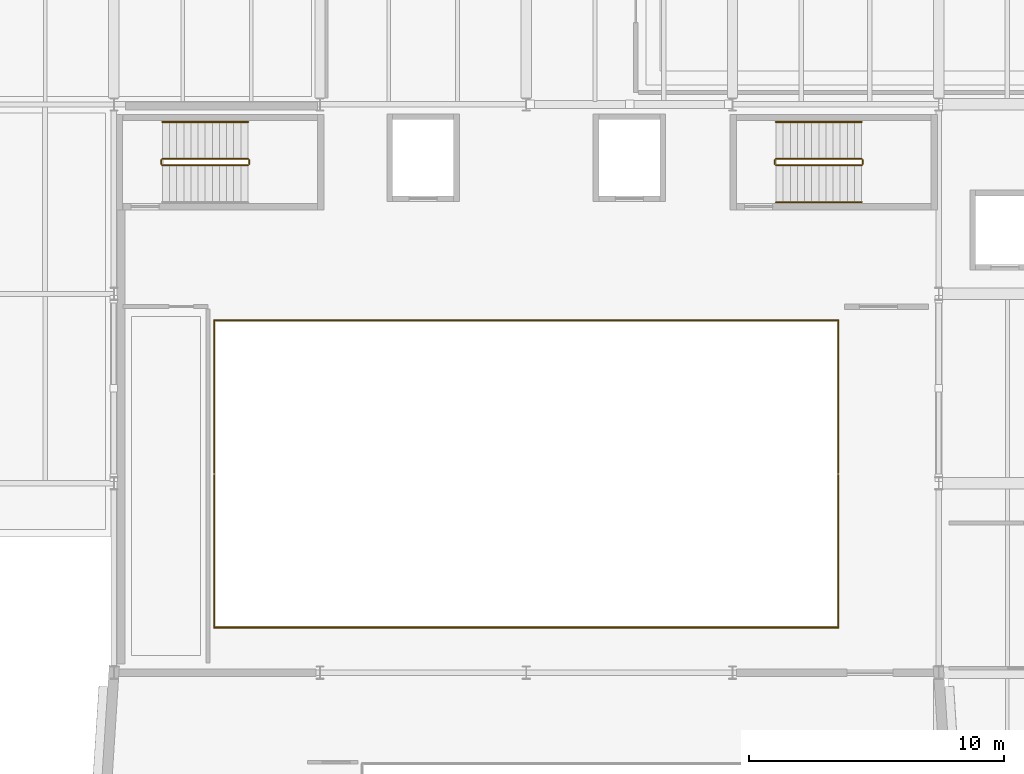
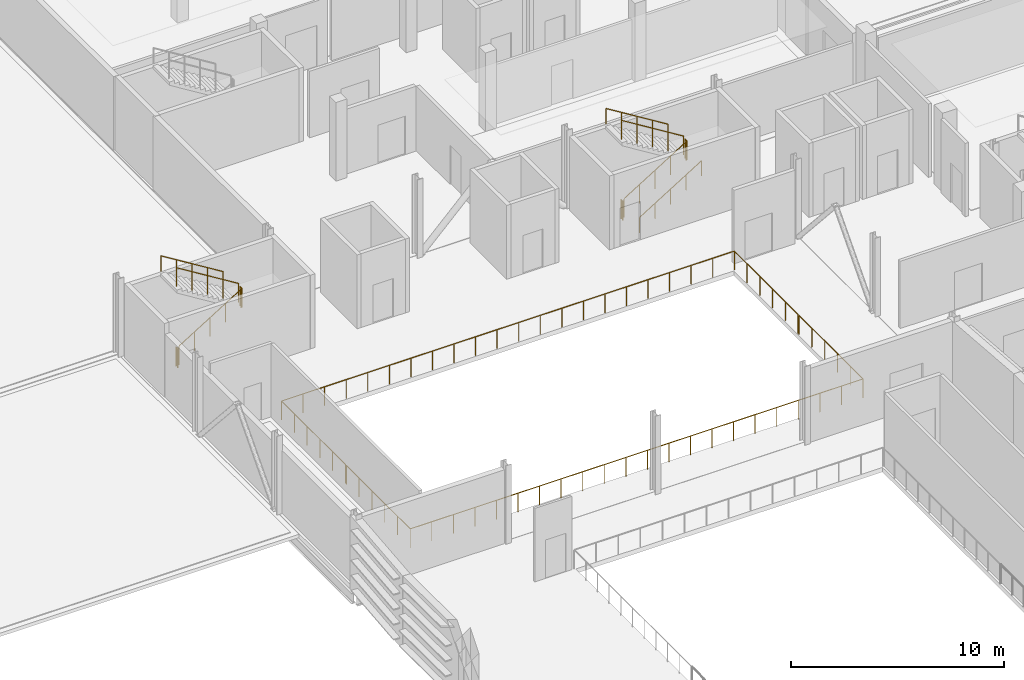
# One storey, part 66 of 73: 13 railings.
"""IFC4 building model written with IfcOpenShell, lengths in metres."""

from ifc_helpers import new_model, si_unit, direction, frame, origin, origin_2d, place, context, subcontext, project, spatial, circle, extrude, material, type_object, element, save


model = new_model("IFC4")

# Units and contexts
model_context = context("Model", 3, precision=1e-05, world=origin(), true_north=direction((0.0, 1.0)))
body_context = subcontext(model_context, "Body", "Model", "MODEL_VIEW")
ifc_project = project(units=[si_unit("LENGTHUNIT", "METRE"), si_unit("AREAUNIT", "SQUARE_METRE"), si_unit("VOLUMEUNIT", "CUBIC_METRE"), si_unit("PLANEANGLEUNIT", "RADIAN"), si_unit("MASSUNIT", "GRAM", prefix="KILO")], contexts=[model_context])

# Site, building, storey
site_placement = place(None, origin())
site = spatial("IfcSite", under=ifc_project, at=site_placement, CompositionType="ELEMENT")
building_placement = place(site_placement, origin())
building = spatial("IfcBuilding", under=site, at=building_placement, Name="Kaelora Sail Theatre", CompositionType="ELEMENT")
storey_placement = place(building_placement, frame((0.0, 0.0, 10.199951171875)))
storey = spatial("IfcBuildingStorey", under=building, at=storey_placement, Name="L02", CompositionType="ELEMENT", Elevation=10.199951171875)

# Railings
ifc_material_1 = material(Name="Painted steel and laminated safety glass guard", Category="steel")
railing_type_1 = type_object("IfcRailingType", Name="ARC-RL-GRD", PredefinedType="GUARDRAIL", material=ifc_material_1)
railing_1_placement = place(storey_placement, frame((27.7099609375, 80.949951171875, 0.173095703125)))
element("IfcRailing", 1, at=railing_1_placement, inside=storey, type_object=railing_type_1, Name="L02 ST-K1 stair guard 1", PredefinedType="GUARDRAIL", context=body_context, shape_type="SweptSolid", body=[
    extrude(circle(Radius=0.02392578125, at=origin_2d()), frame((0.0, 0.0, 1.076171875), z_axis=(0.850623216509, 0.0, 0.525775754039), x_axis=(0.0, 1.0, 0.0)), (0.0, 0.0, 1.0), 3.9501953125),
    extrude(circle(Radius=0.02099609375, at=origin_2d()), origin(), (0.0, 0.0, 1.0), 1.052001953125),
    extrude(circle(Radius=0.02099609375, at=origin_2d()), frame((0.840087890625, 0.0, 0.519287109375)), (0.0, 0.0, 1.0), 1.052001953125),
    extrude(circle(Radius=0.02099609375, at=origin_2d()), frame((1.68017578125, 0.0, 1.03857421875)), (0.0, 0.0, 1.0), 1.052001953125),
    extrude(circle(Radius=0.02099609375, at=origin_2d()), frame((2.52001953125, 0.0, 1.5576171875)), (0.0, 0.0, 1.0), 1.052001953125),
    extrude(circle(Radius=0.02099609375, at=origin_2d()), frame((3.360107421875, 0.0, 2.076904296875)), (0.0, 0.0, 1.0), 1.052001953125),
])
railing_2_placement = place(storey_placement, frame((31.1201171875, 81.0, 2.25)))
element("IfcRailing", 2, at=railing_2_placement, inside=storey, type_object=railing_type_1, Name="L02 ST-K1 stair guard 2", PredefinedType="GUARDRAIL", context=body_context, shape_type="SweptSolid", body=[
    extrude(circle(Radius=0.02392578125, at=origin_2d()), frame((0.0, 0.0, 1.076171875), z_axis=(0.0, 1.0, 0.0), x_axis=(-1.0, 0.0, 0.0)), (0.0, 0.0, 1.0), 0.14990234375),
    extrude(circle(Radius=0.02099609375, at=origin_2d()), origin(), (0.0, 0.0, 1.0), 1.052001953125),
    extrude(circle(Radius=0.02099609375, at=origin_2d()), frame((0.0, 0.14990234375, 0.0)), (0.0, 0.0, 1.0), 1.052001953125),
])
railing_3_placement = place(storey_placement, frame((31.070068359375, 81.199951171875, 2.423095703125)))
element("IfcRailing", 3, at=railing_3_placement, inside=storey, type_object=railing_type_1, Name="L02 ST-K1 stair guard 3", PredefinedType="GUARDRAIL", context=body_context, shape_type="SweptSolid", body=[
    extrude(circle(Radius=0.02392578125, at=origin_2d()), frame((0.0, 0.0, 1.076171875), z_axis=(-0.850623216509, 0.0, 0.525775754039), x_axis=(0.0, -1.0, 0.0)), (0.0, 0.0, 1.0), 3.9501953125),
    extrude(circle(Radius=0.02099609375, at=origin_2d()), origin(), (0.0, 0.0, 1.0), 1.052001953125),
    extrude(circle(Radius=0.02099609375, at=origin_2d()), frame((-0.840087890625, 0.0, 0.519287109375)), (0.0, 0.0, 1.0), 1.052001953125),
    extrude(circle(Radius=0.02099609375, at=origin_2d()), frame((-1.68017578125, 0.0, 1.03857421875)), (0.0, 0.0, 1.0), 1.052001953125),
    extrude(circle(Radius=0.02099609375, at=origin_2d()), frame((-2.52001953125, 0.0, 1.5576171875)), (0.0, 0.0, 1.0), 1.052001953125),
    extrude(circle(Radius=0.02099609375, at=origin_2d()), frame((-3.360107421875, 0.0, 2.076904296875)), (0.0, 0.0, 1.0), 1.052001953125),
])
railing_4_placement = place(storey_placement, frame((27.659912109375, 81.0, 0.0)))
element("IfcRailing", 4, at=railing_4_placement, inside=storey, type_object=railing_type_1, Name="L02 ST-K1 stair guard 4", PredefinedType="GUARDRAIL", context=body_context, shape_type="SweptSolid", body=[
    extrude(circle(Radius=0.02392578125, at=origin_2d()), frame((0.0, 0.0, 1.076171875), z_axis=(0.0, 1.0, 0.0), x_axis=(-1.0, 0.0, 0.0)), (0.0, 0.0, 1.0), 0.14990234375),
    extrude(circle(Radius=0.02099609375, at=origin_2d()), origin(), (0.0, 0.0, 1.0), 1.052001953125),
    extrude(circle(Radius=0.02099609375, at=origin_2d()), frame((0.0, 0.14990234375, 0.0)), (0.0, 0.0, 1.0), 1.052001953125),
])
railing_5_placement = place(storey_placement, frame((51.81005859375, 80.949951171875, 0.173095703125)))
element("IfcRailing", 5, at=railing_5_placement, inside=storey, type_object=railing_type_1, Name="L02 ST-K5 stair guard 1", PredefinedType="GUARDRAIL", context=body_context, shape_type="SweptSolid", body=[
    extrude(circle(Radius=0.02392578125, at=origin_2d()), frame((0.0, 0.0, 1.076171875), z_axis=(0.850606129759, 0.0, 0.525803396734), x_axis=(0.0, 1.0, 0.0)), (0.0, 0.0, 1.0), 3.949951171875),
    extrude(circle(Radius=0.02099609375, at=origin_2d()), origin(), (0.0, 0.0, 1.0), 1.052001953125),
    extrude(circle(Radius=0.02099609375, at=origin_2d()), frame((0.83984375, 0.0, 0.519287109375)), (0.0, 0.0, 1.0), 1.052001953125),
    extrude(circle(Radius=0.02099609375, at=origin_2d()), frame((1.679931640625, 0.0, 1.03857421875)), (0.0, 0.0, 1.0), 1.052001953125),
    extrude(circle(Radius=0.02099609375, at=origin_2d()), frame((2.52001953125, 0.0, 1.5576171875)), (0.0, 0.0, 1.0), 1.052001953125),
    extrude(circle(Radius=0.02099609375, at=origin_2d()), frame((3.35986328125, 0.0, 2.076904296875)), (0.0, 0.0, 1.0), 1.052001953125),
])
railing_6_placement = place(storey_placement, frame((55.219970703125, 81.0, 2.25)))
element("IfcRailing", 6, at=railing_6_placement, inside=storey, type_object=railing_type_1, Name="L02 ST-K5 stair guard 2", PredefinedType="GUARDRAIL", context=body_context, shape_type="SweptSolid", body=[
    extrude(circle(Radius=0.02392578125, at=origin_2d()), frame((0.0, 0.0, 1.076171875), z_axis=(0.0, 1.0, 0.0), x_axis=(-1.0, 0.0, 0.0)), (0.0, 0.0, 1.0), 0.14990234375),
    extrude(circle(Radius=0.02099609375, at=origin_2d()), origin(), (0.0, 0.0, 1.0), 1.052001953125),
    extrude(circle(Radius=0.02099609375, at=origin_2d()), frame((0.0, 0.14990234375, 0.0)), (0.0, 0.0, 1.0), 1.052001953125),
])
railing_7_placement = place(storey_placement, frame((55.169921875, 81.199951171875, 2.423095703125)))
element("IfcRailing", 7, at=railing_7_placement, inside=storey, type_object=railing_type_1, Name="L02 ST-K5 stair guard 3", PredefinedType="GUARDRAIL", context=body_context, shape_type="SweptSolid", body=[
    extrude(circle(Radius=0.02392578125, at=origin_2d()), frame((0.0, 0.0, 1.076171875), z_axis=(-0.850606129759, 0.0, 0.525803396734), x_axis=(0.0, -1.0, 0.0)), (0.0, 0.0, 1.0), 3.949951171875),
    extrude(circle(Radius=0.02099609375, at=origin_2d()), origin(), (0.0, 0.0, 1.0), 1.052001953125),
    extrude(circle(Radius=0.02099609375, at=origin_2d()), frame((-0.83984375, 0.0, 0.519287109375)), (0.0, 0.0, 1.0), 1.052001953125),
    extrude(circle(Radius=0.02099609375, at=origin_2d()), frame((-1.679931640625, 0.0, 1.03857421875)), (0.0, 0.0, 1.0), 1.052001953125),
    extrude(circle(Radius=0.02099609375, at=origin_2d()), frame((-2.52001953125, 0.0, 1.5576171875)), (0.0, 0.0, 1.0), 1.052001953125),
    extrude(circle(Radius=0.02099609375, at=origin_2d()), frame((-3.35986328125, 0.0, 2.076904296875)), (0.0, 0.0, 1.0), 1.052001953125),
])
railing_8_placement = place(storey_placement, frame((51.760009765625, 81.0, 0.0)))
element("IfcRailing", 8, at=railing_8_placement, inside=storey, type_object=railing_type_1, Name="L02 ST-K5 stair guard 4", PredefinedType="GUARDRAIL", context=body_context, shape_type="SweptSolid", body=[
    extrude(circle(Radius=0.02392578125, at=origin_2d()), frame((0.0, 0.0, 1.076171875), z_axis=(0.0, 1.0, 0.0), x_axis=(-1.0, 0.0, 0.0)), (0.0, 0.0, 1.0), 0.14990234375),
    extrude(circle(Radius=0.02099609375, at=origin_2d()), origin(), (0.0, 0.0, 1.0), 1.052001953125),
    extrude(circle(Radius=0.02099609375, at=origin_2d()), frame((0.0, 0.14990234375, 0.0)), (0.0, 0.0, 1.0), 1.052001953125),
])
railing_9_placement = place(storey_placement, frame((29.739990234375, 68.77490234375, 0.0)))
element("IfcRailing", 9, at=railing_9_placement, inside=storey, type_object=railing_type_1, Name="Interior void balustrade FLY-V2 south", PredefinedType="GUARDRAIL", context=body_context, shape_type="SweptSolid", body=[
    extrude(circle(Radius=0.02392578125, at=origin_2d()), frame((0.0, 0.0, 1.076171875), z_axis=(0.0, -1.0, 0.0), x_axis=(1.0, 0.0, 0.0)), (0.0, 0.0, 1.0), 5.98486328125),
    extrude(circle(Radius=0.02392578125, at=origin_2d()), frame((0.0, -5.98486328125, 1.076171875), z_axis=(1.0, 0.0, 0.0), x_axis=(0.0, 1.0, 0.0)), (0.0, 0.0, 1.0), 24.52001953125),
    extrude(circle(Radius=0.02392578125, at=origin_2d()), frame((24.52001953125, -5.98486328125, 1.076171875), z_axis=(0.0, 1.0, 0.0), x_axis=(-1.0, 0.0, 0.0)), (0.0, 0.0, 1.0), 5.98486328125),
    extrude(circle(Radius=0.02099609375, at=origin_2d()), origin(), (0.0, 0.0, 1.0), 1.052001953125),
    extrude(circle(Radius=0.02099609375, at=origin_2d()), frame((0.0, -1.197021484375, 0.0)), (0.0, 0.0, 1.0), 1.052001953125),
    extrude(circle(Radius=0.02099609375, at=origin_2d()), frame((0.0, -2.39404296875, 0.0)), (0.0, 0.0, 1.0), 1.052001953125),
    extrude(circle(Radius=0.02099609375, at=origin_2d()), frame((0.0, -3.5908203125, 0.0)), (0.0, 0.0, 1.0), 1.052001953125),
    extrude(circle(Radius=0.02099609375, at=origin_2d()), frame((0.0, -4.787841796875, 0.0)), (0.0, 0.0, 1.0), 1.052001953125),
    extrude(circle(Radius=0.02099609375, at=origin_2d()), frame((0.0, -5.98486328125, 0.0)), (0.0, 0.0, 1.0), 1.052001953125),
    extrude(circle(Radius=0.02099609375, at=origin_2d()), frame((1.167724609375, -5.98486328125, 0.0)), (0.0, 0.0, 1.0), 1.052001953125),
    extrude(circle(Radius=0.02099609375, at=origin_2d()), frame((2.335205078125, -5.98486328125, 0.0)), (0.0, 0.0, 1.0), 1.052001953125),
    extrude(circle(Radius=0.02099609375, at=origin_2d()), frame((3.5029296875, -5.98486328125, 0.0)), (0.0, 0.0, 1.0), 1.052001953125),
    extrude(circle(Radius=0.02099609375, at=origin_2d()), frame((4.67041015625, -5.98486328125, 0.0)), (0.0, 0.0, 1.0), 1.052001953125),
    extrude(circle(Radius=0.02099609375, at=origin_2d()), frame((5.838134765625, -5.98486328125, 0.0)), (0.0, 0.0, 1.0), 1.052001953125),
    extrude(circle(Radius=0.02099609375, at=origin_2d()), frame((7.005615234375, -5.98486328125, 0.0)), (0.0, 0.0, 1.0), 1.052001953125),
    extrude(circle(Radius=0.02099609375, at=origin_2d()), frame((8.17333984375, -5.98486328125, 0.0)), (0.0, 0.0, 1.0), 1.052001953125),
    extrude(circle(Radius=0.02099609375, at=origin_2d()), frame((9.341064453125, -5.98486328125, 0.0)), (0.0, 0.0, 1.0), 1.052001953125),
    extrude(circle(Radius=0.02099609375, at=origin_2d()), frame((10.508544921875, -5.98486328125, 0.0)), (0.0, 0.0, 1.0), 1.052001953125),
    extrude(circle(Radius=0.02099609375, at=origin_2d()), frame((11.67626953125, -5.98486328125, 0.0)), (0.0, 0.0, 1.0), 1.052001953125),
    extrude(circle(Radius=0.02099609375, at=origin_2d()), frame((12.84375, -5.98486328125, 0.0)), (0.0, 0.0, 1.0), 1.052001953125),
    extrude(circle(Radius=0.02099609375, at=origin_2d()), frame((14.011474609375, -5.98486328125, 0.0)), (0.0, 0.0, 1.0), 1.052001953125),
    extrude(circle(Radius=0.02099609375, at=origin_2d()), frame((15.178955078125, -5.98486328125, 0.0)), (0.0, 0.0, 1.0), 1.052001953125),
    extrude(circle(Radius=0.02099609375, at=origin_2d()), frame((16.3466796875, -5.98486328125, 0.0)), (0.0, 0.0, 1.0), 1.052001953125),
    extrude(circle(Radius=0.02099609375, at=origin_2d()), frame((17.514404296875, -5.98486328125, 0.0)), (0.0, 0.0, 1.0), 1.052001953125),
    extrude(circle(Radius=0.02099609375, at=origin_2d()), frame((18.681884765625, -5.98486328125, 0.0)), (0.0, 0.0, 1.0), 1.052001953125),
    extrude(circle(Radius=0.02099609375, at=origin_2d()), frame((19.849609375, -5.98486328125, 0.0)), (0.0, 0.0, 1.0), 1.052001953125),
    extrude(circle(Radius=0.02099609375, at=origin_2d()), frame((21.01708984375, -5.98486328125, 0.0)), (0.0, 0.0, 1.0), 1.052001953125),
    extrude(circle(Radius=0.02099609375, at=origin_2d()), frame((22.184814453125, -5.98486328125, 0.0)), (0.0, 0.0, 1.0), 1.052001953125),
    extrude(circle(Radius=0.02099609375, at=origin_2d()), frame((23.352294921875, -5.98486328125, 0.0)), (0.0, 0.0, 1.0), 1.052001953125),
    extrude(circle(Radius=0.02099609375, at=origin_2d()), frame((24.52001953125, -5.98486328125, 0.0)), (0.0, 0.0, 1.0), 1.052001953125),
    extrude(circle(Radius=0.02099609375, at=origin_2d()), frame((24.52001953125, -4.787841796875, 0.0)), (0.0, 0.0, 1.0), 1.052001953125),
    extrude(circle(Radius=0.02099609375, at=origin_2d()), frame((24.52001953125, -3.5908203125, 0.0)), (0.0, 0.0, 1.0), 1.052001953125),
    extrude(circle(Radius=0.02099609375, at=origin_2d()), frame((24.52001953125, -2.39404296875, 0.0)), (0.0, 0.0, 1.0), 1.052001953125),
    extrude(circle(Radius=0.02099609375, at=origin_2d()), frame((24.52001953125, -1.197021484375, 0.0)), (0.0, 0.0, 1.0), 1.052001953125),
    extrude(circle(Radius=0.02099609375, at=origin_2d()), frame((24.52001953125, 0.0, 0.0)), (0.0, 0.0, 1.0), 1.052001953125),
])
railing_10_placement = place(storey_placement, frame((54.260009765625, 68.875, 0.0)))
element("IfcRailing", 10, at=railing_10_placement, inside=storey, type_object=railing_type_1, Name="Interior void balustrade FLY-V2 north", PredefinedType="GUARDRAIL", context=body_context, shape_type="SweptSolid", body=[
    extrude(circle(Radius=0.02392578125, at=origin_2d()), frame((0.0, 0.0, 1.076171875), z_axis=(0.0, 1.0, 0.0), x_axis=(-1.0, 0.0, 0.0)), (0.0, 0.0, 1.0), 5.985107421875),
    extrude(circle(Radius=0.02392578125, at=origin_2d()), frame((0.0, 5.985107421875, 1.076171875), z_axis=(-1.0, 0.0, 0.0), x_axis=(0.0, -1.0, 0.0)), (0.0, 0.0, 1.0), 24.52001953125),
    extrude(circle(Radius=0.02392578125, at=origin_2d()), frame((-24.52001953125, 5.985107421875, 1.076171875), z_axis=(0.0, -1.0, 0.0), x_axis=(1.0, 0.0, 0.0)), (0.0, 0.0, 1.0), 5.985107421875),
    extrude(circle(Radius=0.02099609375, at=origin_2d()), origin(), (0.0, 0.0, 1.0), 1.052001953125),
    extrude(circle(Radius=0.02099609375, at=origin_2d()), frame((0.0, 1.197021484375, 0.0)), (0.0, 0.0, 1.0), 1.052001953125),
    extrude(circle(Radius=0.02099609375, at=origin_2d()), frame((0.0, 2.39404296875, 0.0)), (0.0, 0.0, 1.0), 1.052001953125),
    extrude(circle(Radius=0.02099609375, at=origin_2d()), frame((0.0, 3.591064453125, 0.0)), (0.0, 0.0, 1.0), 1.052001953125),
    extrude(circle(Radius=0.02099609375, at=origin_2d()), frame((0.0, 4.7880859375, 0.0)), (0.0, 0.0, 1.0), 1.052001953125),
    extrude(circle(Radius=0.02099609375, at=origin_2d()), frame((0.0, 5.985107421875, 0.0)), (0.0, 0.0, 1.0), 1.052001953125),
    extrude(circle(Radius=0.02099609375, at=origin_2d()), frame((-1.167724609375, 5.985107421875, 0.0)), (0.0, 0.0, 1.0), 1.052001953125),
    extrude(circle(Radius=0.02099609375, at=origin_2d()), frame((-2.335205078125, 5.985107421875, 0.0)), (0.0, 0.0, 1.0), 1.052001953125),
    extrude(circle(Radius=0.02099609375, at=origin_2d()), frame((-3.5029296875, 5.985107421875, 0.0)), (0.0, 0.0, 1.0), 1.052001953125),
    extrude(circle(Radius=0.02099609375, at=origin_2d()), frame((-4.67041015625, 5.985107421875, 0.0)), (0.0, 0.0, 1.0), 1.052001953125),
    extrude(circle(Radius=0.02099609375, at=origin_2d()), frame((-5.838134765625, 5.985107421875, 0.0)), (0.0, 0.0, 1.0), 1.052001953125),
    extrude(circle(Radius=0.02099609375, at=origin_2d()), frame((-7.005615234375, 5.985107421875, 0.0)), (0.0, 0.0, 1.0), 1.052001953125),
    extrude(circle(Radius=0.02099609375, at=origin_2d()), frame((-8.17333984375, 5.985107421875, 0.0)), (0.0, 0.0, 1.0), 1.052001953125),
    extrude(circle(Radius=0.02099609375, at=origin_2d()), frame((-9.341064453125, 5.985107421875, 0.0)), (0.0, 0.0, 1.0), 1.052001953125),
    extrude(circle(Radius=0.02099609375, at=origin_2d()), frame((-10.508544921875, 5.985107421875, 0.0)), (0.0, 0.0, 1.0), 1.052001953125),
    extrude(circle(Radius=0.02099609375, at=origin_2d()), frame((-11.67626953125, 5.985107421875, 0.0)), (0.0, 0.0, 1.0), 1.052001953125),
    extrude(circle(Radius=0.02099609375, at=origin_2d()), frame((-12.84375, 5.985107421875, 0.0)), (0.0, 0.0, 1.0), 1.052001953125),
    extrude(circle(Radius=0.02099609375, at=origin_2d()), frame((-14.011474609375, 5.985107421875, 0.0)), (0.0, 0.0, 1.0), 1.052001953125),
    extrude(circle(Radius=0.02099609375, at=origin_2d()), frame((-15.178955078125, 5.985107421875, 0.0)), (0.0, 0.0, 1.0), 1.052001953125),
    extrude(circle(Radius=0.02099609375, at=origin_2d()), frame((-16.3466796875, 5.985107421875, 0.0)), (0.0, 0.0, 1.0), 1.052001953125),
    extrude(circle(Radius=0.02099609375, at=origin_2d()), frame((-17.514404296875, 5.985107421875, 0.0)), (0.0, 0.0, 1.0), 1.052001953125),
    extrude(circle(Radius=0.02099609375, at=origin_2d()), frame((-18.681884765625, 5.985107421875, 0.0)), (0.0, 0.0, 1.0), 1.052001953125),
    extrude(circle(Radius=0.02099609375, at=origin_2d()), frame((-19.849609375, 5.985107421875, 0.0)), (0.0, 0.0, 1.0), 1.052001953125),
    extrude(circle(Radius=0.02099609375, at=origin_2d()), frame((-21.01708984375, 5.985107421875, 0.0)), (0.0, 0.0, 1.0), 1.052001953125),
    extrude(circle(Radius=0.02099609375, at=origin_2d()), frame((-22.184814453125, 5.985107421875, 0.0)), (0.0, 0.0, 1.0), 1.052001953125),
    extrude(circle(Radius=0.02099609375, at=origin_2d()), frame((-23.352294921875, 5.985107421875, 0.0)), (0.0, 0.0, 1.0), 1.052001953125),
    extrude(circle(Radius=0.02099609375, at=origin_2d()), frame((-24.52001953125, 5.985107421875, 0.0)), (0.0, 0.0, 1.0), 1.052001953125),
    extrude(circle(Radius=0.02099609375, at=origin_2d()), frame((-24.52001953125, 4.7880859375, 0.0)), (0.0, 0.0, 1.0), 1.052001953125),
    extrude(circle(Radius=0.02099609375, at=origin_2d()), frame((-24.52001953125, 3.591064453125, 0.0)), (0.0, 0.0, 1.0), 1.052001953125),
    extrude(circle(Radius=0.02099609375, at=origin_2d()), frame((-24.52001953125, 2.39404296875, 0.0)), (0.0, 0.0, 1.0), 1.052001953125),
    extrude(circle(Radius=0.02099609375, at=origin_2d()), frame((-24.52001953125, 1.197021484375, 0.0)), (0.0, 0.0, 1.0), 1.052001953125),
    extrude(circle(Radius=0.02099609375, at=origin_2d()), frame((-24.52001953125, 0.0, 0.0)), (0.0, 0.0, 1.0), 1.052001953125),
])
ifc_material_2 = material(Name="Brushed stainless steel 316L tubular handrail", Category="steel")
railing_type_2 = type_object("IfcRailingType", Name="ARC-RL-HND", PredefinedType="HANDRAIL", material=ifc_material_2)
railing_11_placement = place(storey_placement, frame((31.070068359375, 82.64990234375, 2.423095703125)))
element("IfcRailing", 11, at=railing_11_placement, inside=storey, type_object=railing_type_2, Name="L02 ST-K1 stair handrail 2", PredefinedType="HANDRAIL", context=body_context, shape_type="SweptSolid", body=[
    extrude(circle(Radius=0.02392578125, at=origin_2d()), frame((0.0, 0.0, 0.8759765625), z_axis=(-0.850623216509, 0.0, 0.525775754039), x_axis=(0.0, -1.0, 0.0)), (0.0, 0.0, 1.0), 3.9501953125),
    extrude(circle(Radius=0.02099609375, at=origin_2d()), origin(), (0.0, 0.0, 1.0), 0.851806640625),
    extrude(circle(Radius=0.02099609375, at=origin_2d()), frame((-0.840087890625, 0.0, 0.519287109375)), (0.0, 0.0, 1.0), 0.851806640625),
    extrude(circle(Radius=0.02099609375, at=origin_2d()), frame((-1.68017578125, 0.0, 1.03857421875)), (0.0, 0.0, 1.0), 0.851806640625),
    extrude(circle(Radius=0.02099609375, at=origin_2d()), frame((-2.52001953125, 0.0, 1.5576171875)), (0.0, 0.0, 1.0), 0.851806640625),
    extrude(circle(Radius=0.02099609375, at=origin_2d()), frame((-3.360107421875, 0.0, 2.076904296875)), (0.0, 0.0, 1.0), 0.851806640625),
])
railing_12_placement = place(storey_placement, frame((51.81005859375, 79.5, 0.173095703125)))
element("IfcRailing", 12, at=railing_12_placement, inside=storey, type_object=railing_type_2, Name="L02 ST-K5 stair handrail 1", PredefinedType="HANDRAIL", context=body_context, shape_type="SweptSolid", body=[
    extrude(circle(Radius=0.02392578125, at=origin_2d()), frame((0.0, 0.0, 0.8759765625), z_axis=(0.850606129759, 0.0, 0.525803396734), x_axis=(0.0, 1.0, 0.0)), (0.0, 0.0, 1.0), 3.949951171875),
    extrude(circle(Radius=0.02099609375, at=origin_2d()), origin(), (0.0, 0.0, 1.0), 0.851806640625),
    extrude(circle(Radius=0.02099609375, at=origin_2d()), frame((0.83984375, 0.0, 0.519287109375)), (0.0, 0.0, 1.0), 0.851806640625),
    extrude(circle(Radius=0.02099609375, at=origin_2d()), frame((1.679931640625, 0.0, 1.03857421875)), (0.0, 0.0, 1.0), 0.851806640625),
    extrude(circle(Radius=0.02099609375, at=origin_2d()), frame((2.52001953125, 0.0, 1.5576171875)), (0.0, 0.0, 1.0), 0.851806640625),
    extrude(circle(Radius=0.02099609375, at=origin_2d()), frame((3.35986328125, 0.0, 2.076904296875)), (0.0, 0.0, 1.0), 0.851806640625),
])
railing_13_placement = place(storey_placement, frame((55.169921875, 82.64990234375, 2.423095703125)))
element("IfcRailing", 13, at=railing_13_placement, inside=storey, type_object=railing_type_2, Name="L02 ST-K5 stair handrail 2", PredefinedType="HANDRAIL", context=body_context, shape_type="SweptSolid", body=[
    extrude(circle(Radius=0.02392578125, at=origin_2d()), frame((0.0, 0.0, 0.8759765625), z_axis=(-0.850606129759, 0.0, 0.525803396734), x_axis=(0.0, -1.0, 0.0)), (0.0, 0.0, 1.0), 3.949951171875),
    extrude(circle(Radius=0.02099609375, at=origin_2d()), origin(), (0.0, 0.0, 1.0), 0.851806640625),
    extrude(circle(Radius=0.02099609375, at=origin_2d()), frame((-0.83984375, 0.0, 0.519287109375)), (0.0, 0.0, 1.0), 0.851806640625),
    extrude(circle(Radius=0.02099609375, at=origin_2d()), frame((-1.679931640625, 0.0, 1.03857421875)), (0.0, 0.0, 1.0), 0.851806640625),
    extrude(circle(Radius=0.02099609375, at=origin_2d()), frame((-2.52001953125, 0.0, 1.5576171875)), (0.0, 0.0, 1.0), 0.851806640625),
    extrude(circle(Radius=0.02099609375, at=origin_2d()), frame((-3.35986328125, 0.0, 2.076904296875)), (0.0, 0.0, 1.0), 0.851806640625),
])

save(model, "model.ifc")
